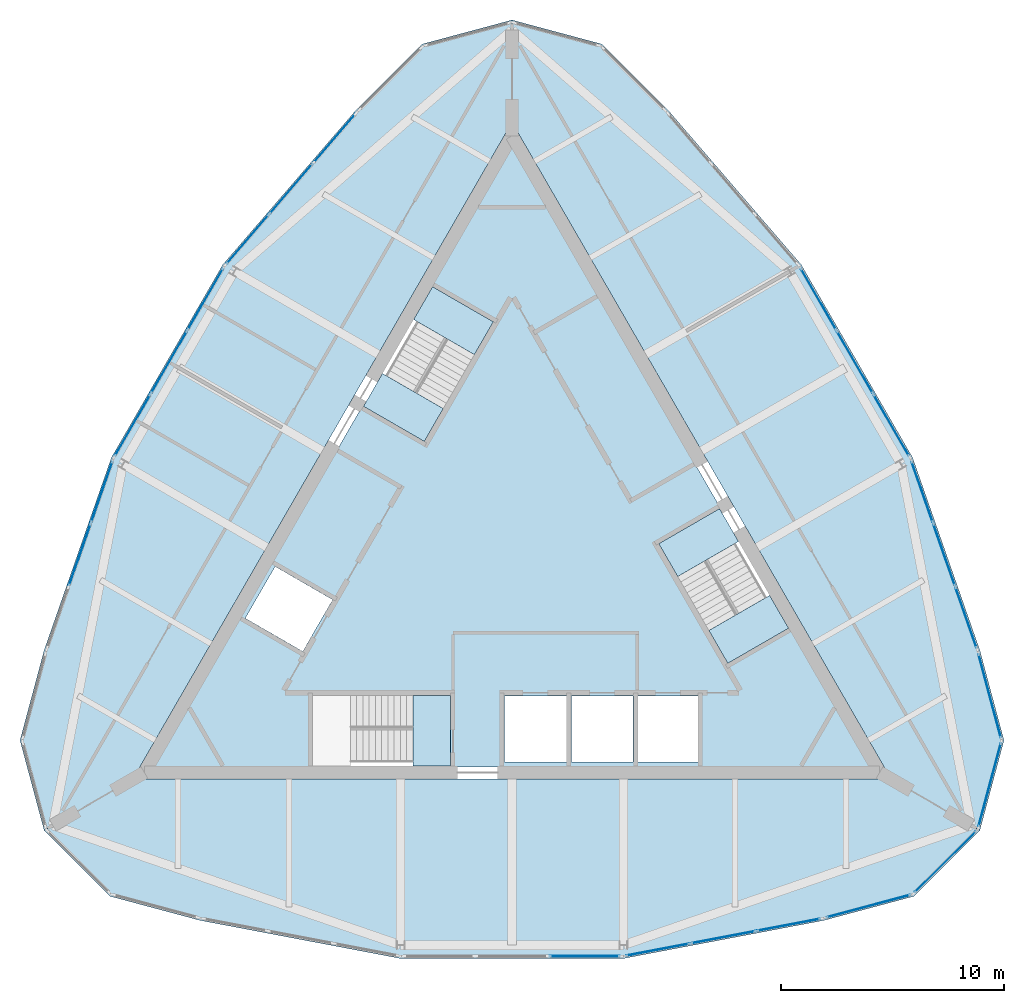
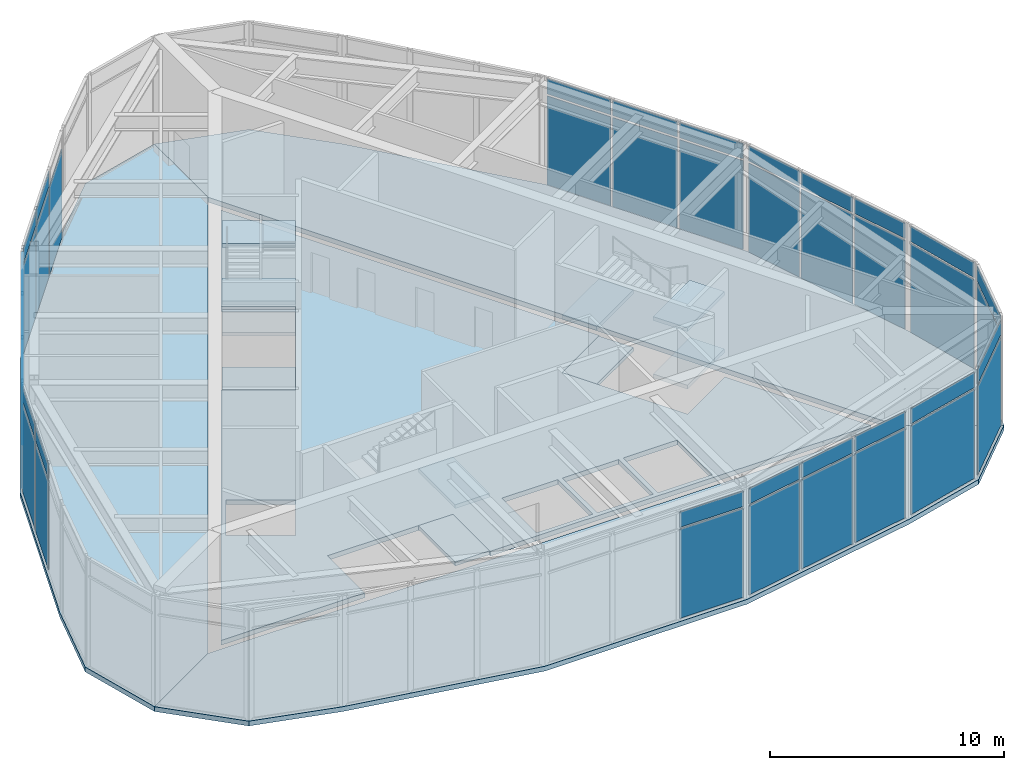
# One storey, part 5 of 9: 43 plates, 14 slabs, 14 elements without a shape of their own.
"""IFC4 building model written with IfcOpenShell, lengths in metres."""

from ifc_helpers import new_model, si_unit, direction, frame, origin, origin_2d, place, context, subcontext, project, spatial, polyline, rectangle, outline, extrude, material, layer, layer_set, type_object, element, aggregate, save


model = new_model("IFC4")

# Units and contexts
model_context = context("Model", 3, precision=1e-05, world=origin(), true_north=direction((0.0, 1.0)))
body_context = subcontext(model_context, "Body", "Model", "MODEL_VIEW")
ifc_project = project(units=[si_unit("LENGTHUNIT", "METRE"), si_unit("AREAUNIT", "SQUARE_METRE"), si_unit("VOLUMEUNIT", "CUBIC_METRE"), si_unit("PLANEANGLEUNIT", "RADIAN"), si_unit("MASSUNIT", "GRAM", prefix="KILO")], contexts=[model_context])

# Site, building, storey
site_placement = place(None, origin())
site = spatial("IfcSite", under=ifc_project, at=site_placement, CompositionType="ELEMENT")
building_placement = place(site_placement, origin())
building = spatial("IfcBuilding", under=site, at=building_placement, Name="Trikona Tower", CompositionType="ELEMENT")
storey_placement = place(building_placement, frame((0.0, 0.0, 286.800048828125)))
storey = spatial("IfcBuildingStorey", under=building, at=storey_placement, Name="L75", CompositionType="ELEMENT", Elevation=286.800048828125)

# Slabs
ifc_material_1 = material(Name="Concrete f'c 5000 psi lightweight on composite steel deck", Category="concrete")
ifc_layer_1 = layer(ifc_material_1, 0.25)
ifc_layer_set_1 = layer_set([ifc_layer_1], Name="Composite floor slab 250")
slab_type_1 = type_object("IfcSlabType", Name="Composite floor slab 250", PredefinedType="FLOOR", material=ifc_layer_set_1)
slab_1_placement = place(storey_placement, frame((0.0, 0.0, -0.25)))
element("IfcSlab", 1, at=slab_1_placement, inside=storey, type_object=slab_type_1, Name="Floor slab L75 core", PredefinedType="FLOOR", context=body_context, shape_type="SweptSolid", body=[
    extrude(outline(polyline([(-16.06689453125, -9.2763671875), (-8.949951171875, -9.2763671875), (-8.949951171875, -6.076416015625), (-2.75, -6.076416015625), (-2.75, -9.2763671875), (16.06689453125, -9.2763671875), (12.45849609375, -3.026123046875), (9.687255859375, -4.626220703125), (6.587158203125, 0.7431640625), (9.3583984375, 2.34326171875), (0.0, 18.552490234375), (-3.6083984375, 12.302490234375), (-0.837158203125, 10.702392578125), (-3.937255859375, 5.3330078125), (-6.70849609375, 6.93310546875), (-16.06689453125, -9.2763671875)]), holes=[polyline([(5.659912109375, -9.06640625), (8.340087890625, -9.06640625), (8.340087890625, -6.086181640625), (5.659912109375, -6.086181640625), (5.659912109375, -9.06640625)]), polyline([(5.43994140625, -9.06640625), (5.43994140625, -6.086181640625), (2.659912109375, -6.086181640625), (2.659912109375, -9.06640625), (5.43994140625, -9.06640625)]), polyline([(2.43994140625, -6.086181640625), (-0.340087890625, -6.086181640625), (-0.340087890625, -9.06640625), (2.43994140625, -9.06640625), (2.43994140625, -6.086181640625)]), polyline([(-11.9716796875, -2.602783203125), (-9.390869140625, -4.093017578125), (-8.05078125, -1.77197265625), (-10.631591796875, -0.281982421875), (-11.9716796875, -2.602783203125)])]), origin(), (0.0, 0.0, 1.0), 0.25),
])
slab_2_placement = place(storey_placement, frame((0.0, 0.0, -0.25)))
element("IfcSlab", 2, at=slab_2_placement, inside=storey, type_object=slab_type_1, Name="Floor slab L75 south", PredefinedType="FLOOR", context=body_context, shape_type="SweptSolid", body=[
    extrude(outline(polyline([(21.0, -12.12451171875), (17.01953125, -9.826416015625), (-17.01953125, -9.826416015625), (-21.0, -12.12451171875), (-18.04150390625, -15.0830078125), (-14.0, -16.165771484375), (-5.0, -17.875732421875), (5.0, -17.875732421875), (14.0, -16.165771484375), (18.04150390625, -15.0830078125), (21.0, -12.12451171875)])), origin(), (0.0, 0.0, 1.0), 0.25),
])
slab_3_placement = place(storey_placement, frame((0.0, 0.0, -0.25)))
element("IfcSlab", 3, at=slab_3_placement, inside=storey, type_object=slab_type_1, Name="Floor slab L75 north-east", PredefinedType="FLOOR", context=body_context, shape_type="SweptSolid", body=[
    extrude(outline(polyline([(4.04150390625, 23.165771484375), (0.0, 24.248779296875), (0.0, 19.652587890625), (17.01953125, -9.826416015625), (21.0, -12.12451171875), (22.0830078125, -8.0830078125), (21.0, -4.04150390625), (17.98095703125, 4.60791015625), (12.98095703125, 13.26806640625), (7.0, 20.207275390625), (4.04150390625, 23.165771484375)])), origin(), (0.0, 0.0, 1.0), 0.25),
])
slab_4_placement = place(storey_placement, frame((0.0, 0.0, -0.25)))
element("IfcSlab", 4, at=slab_4_placement, inside=storey, type_object=slab_type_1, Name="Floor slab L75 north-west", PredefinedType="FLOOR", context=body_context, shape_type="SweptSolid", body=[
    extrude(outline(polyline([(0.0, 19.652587890625), (0.0, 24.248779296875), (-4.04150390625, 23.165771484375), (-7.0, 20.207275390625), (-12.98095703125, 13.26806640625), (-17.98095703125, 4.60791015625), (-21.0, -4.04150390625), (-22.0830078125, -8.0830078125), (-21.0, -12.12451171875), (-17.01953125, -9.826416015625), (0.0, 19.652587890625)])), origin(), (0.0, 0.0, 1.0), 0.25),
])

# Curtain wall, plates
ifc_material_2 = material(Name="Aluminium curtain wall system", Category="aluminium")
curtain_wall_type = type_object("IfcCurtainWallType", Name="Curtain wall OB", PredefinedType="NOTDEFINED", material=ifc_material_2)
curtain_wall_1_placement = place(storey_placement, origin())
curtain_wall_1 = element("IfcCurtainWall", 5, at=curtain_wall_1_placement, inside=storey, type_object=curtain_wall_type, Name="Curtain wall OB L75", PredefinedType="NOTDEFINED")
ifc_material_3 = material(Name="Clear insulating glass unit", Category="glass")
ifc_layer_2 = layer(ifc_material_3, 0.028076171875)
ifc_layer_set_2 = layer_set([ifc_layer_2], Name="Glass panel OB")
plate_type = type_object("IfcPlateType", Name="Glass panel OB", PredefinedType="CURTAIN_PANEL", material=ifc_layer_set_2)
plate_1_placement = place(storey_placement, frame((3.268310546875, -17.77587890625, 0.10009765625), z_axis=(0.0, 0.0, 1.0), x_axis=(1.0, 0.0, 0.0)))
plate_1 = element("IfcPlate", 6, at=plate_1_placement, type_object=plate_type, Name="CW-OB panel 3.1", PredefinedType="CURTAIN_PANEL", context=body_context, shape_type="SweptSolid", body=[
    extrude(rectangle(XDim=3.143310546875, YDim=0.028076171875, at=origin_2d()), origin(), (0.0, 0.0, 1.0), 4.64990234375),
])
plate_2_placement = place(storey_placement, frame((3.268310546875, -17.77587890625, 4.85009765625), z_axis=(0.0, 0.0, 1.0), x_axis=(1.0, 0.0, 0.0)))
plate_2 = element("IfcPlate", 7, at=plate_2_placement, type_object=plate_type, Name="CW-OB panel 3.2", PredefinedType="CURTAIN_PANEL", context=body_context, shape_type="SweptSolid", body=[
    extrude(rectangle(XDim=3.143310546875, YDim=0.028076171875, at=origin_2d()), origin(), (0.0, 0.0, 1.0), 0.800048828125),
])
aggregate(curtain_wall_1, [plate_1, plate_2])

curtain_wall_2_placement = place(storey_placement, origin())
curtain_wall_2 = element("IfcCurtainWall", 8, at=curtain_wall_2_placement, inside=storey, type_object=curtain_wall_type, Name="Curtain wall OB L75", PredefinedType="NOTDEFINED")
plate_3_placement = place(storey_placement, frame((6.545166015625, -17.48046875, 0.10009765625), z_axis=(0.0, 0.0, 1.0), x_axis=(0.982424431419, 0.186660752571, 0.0)))
plate_3 = element("IfcPlate", 9, at=plate_3_placement, type_object=plate_type, Name="CW-OB panel 1.1", PredefinedType="CURTAIN_PANEL", context=body_context, shape_type="SweptSolid", body=[
    extrude(rectangle(XDim=2.86376953125, YDim=0.028076171875, at=origin_2d()), origin(), (0.0, 0.0, 1.0), 4.64990234375),
])
plate_4_placement = place(storey_placement, frame((6.545166015625, -17.48046875, 4.85009765625), z_axis=(0.0, 0.0, 1.0), x_axis=(0.982424431419, 0.186660752571, 0.0)))
plate_4 = element("IfcPlate", 10, at=plate_4_placement, type_object=plate_type, Name="CW-OB panel 1.2", PredefinedType="CURTAIN_PANEL", context=body_context, shape_type="SweptSolid", body=[
    extrude(rectangle(XDim=2.86376953125, YDim=0.028076171875, at=origin_2d()), origin(), (0.0, 0.0, 1.0), 0.800048828125),
])
plate_5_placement = place(storey_placement, frame((9.4814453125, -16.922607421875, 0.10009765625), z_axis=(0.0, 0.0, 1.0), x_axis=(0.982424431419, 0.186660752571, 0.0)))
plate_5 = element("IfcPlate", 11, at=plate_5_placement, type_object=plate_type, Name="CW-OB panel 2.1", PredefinedType="CURTAIN_PANEL", context=body_context, shape_type="SweptSolid", body=[
    extrude(rectangle(XDim=2.91357421875, YDim=0.028076171875, at=origin_2d()), origin(), (0.0, 0.0, 1.0), 4.64990234375),
])
plate_6_placement = place(storey_placement, frame((9.4814453125, -16.922607421875, 4.85009765625), z_axis=(0.0, 0.0, 1.0), x_axis=(0.982424431419, 0.186660752571, 0.0)))
plate_6 = element("IfcPlate", 12, at=plate_6_placement, type_object=plate_type, Name="CW-OB panel 2.2", PredefinedType="CURTAIN_PANEL", context=body_context, shape_type="SweptSolid", body=[
    extrude(rectangle(XDim=2.91357421875, YDim=0.028076171875, at=origin_2d()), origin(), (0.0, 0.0, 1.0), 0.800048828125),
])
plate_7_placement = place(storey_placement, frame((12.41748046875, -16.36474609375, 0.10009765625), z_axis=(0.0, 0.0, 1.0), x_axis=(0.982424431419, 0.186660752571, 0.0)))
plate_7 = element("IfcPlate", 13, at=plate_7_placement, type_object=plate_type, Name="CW-OB panel 3.1", PredefinedType="CURTAIN_PANEL", context=body_context, shape_type="SweptSolid", body=[
    extrude(rectangle(XDim=2.86376953125, YDim=0.028076171875, at=origin_2d()), origin(), (0.0, 0.0, 1.0), 4.64990234375),
])
plate_8_placement = place(storey_placement, frame((12.41748046875, -16.36474609375, 4.85009765625), z_axis=(0.0, 0.0, 1.0), x_axis=(0.982424431419, 0.186660752571, 0.0)))
plate_8 = element("IfcPlate", 14, at=plate_8_placement, type_object=plate_type, Name="CW-OB panel 3.2", PredefinedType="CURTAIN_PANEL", context=body_context, shape_type="SweptSolid", body=[
    extrude(rectangle(XDim=2.86376953125, YDim=0.028076171875, at=origin_2d()), origin(), (0.0, 0.0, 1.0), 0.800048828125),
])
aggregate(curtain_wall_2, [plate_3, plate_4, plate_5, plate_6, plate_7, plate_8])

curtain_wall_3_placement = place(storey_placement, origin())
curtain_wall_3 = element("IfcCurtainWall", 15, at=curtain_wall_3_placement, inside=storey, type_object=curtain_wall_type, Name="Curtain wall OB L75", PredefinedType="NOTDEFINED")
plate_9_placement = place(storey_placement, frame((15.994873046875, -15.52783203125, 0.10009765625), z_axis=(0.0, 0.0, 1.0), x_axis=(0.965923448705, 0.258827918204, 0.0)))
plate_9 = element("IfcPlate", 16, at=plate_9_placement, type_object=plate_type, Name="CW-OB panel 1.1", PredefinedType="CURTAIN_PANEL", context=body_context, shape_type="SweptSolid", body=[
    extrude(rectangle(XDim=3.864013671875, YDim=0.028076171875, at=origin_2d()), origin(), (0.0, 0.0, 1.0), 4.64990234375),
])
plate_10_placement = place(storey_placement, frame((15.994873046875, -15.52783203125, 4.85009765625), z_axis=(0.0, 0.0, 1.0), x_axis=(0.965923448705, 0.258827918204, 0.0)))
plate_10 = element("IfcPlate", 17, at=plate_10_placement, type_object=plate_type, Name="CW-OB panel 1.2", PredefinedType="CURTAIN_PANEL", context=body_context, shape_type="SweptSolid", body=[
    extrude(rectangle(XDim=3.864013671875, YDim=0.028076171875, at=origin_2d()), origin(), (0.0, 0.0, 1.0), 0.800048828125),
])
aggregate(curtain_wall_3, [plate_9, plate_10])

curtain_wall_4_placement = place(storey_placement, origin())
curtain_wall_4 = element("IfcCurtainWall", 18, at=curtain_wall_4_placement, inside=storey, type_object=curtain_wall_type, Name="Curtain wall OB L75", PredefinedType="NOTDEFINED")
plate_11_placement = place(storey_placement, frame((19.449951171875, -13.532958984375, 0.10009765625), z_axis=(0.0, 0.0, 1.0), x_axis=(0.707106781187, 0.707106781187, 0.0)))
plate_11 = element("IfcPlate", 19, at=plate_11_placement, type_object=plate_type, Name="CW-OB panel 1.1", PredefinedType="CURTAIN_PANEL", context=body_context, shape_type="SweptSolid", body=[
    extrude(rectangle(XDim=3.864013671875, YDim=0.028076171875, at=origin_2d()), origin(), (0.0, 0.0, 1.0), 4.64990234375),
])
plate_12_placement = place(storey_placement, frame((19.449951171875, -13.532958984375, 4.85009765625), z_axis=(0.0, 0.0, 1.0), x_axis=(0.707106781187, 0.707106781187, 0.0)))
plate_12 = element("IfcPlate", 20, at=plate_12_placement, type_object=plate_type, Name="CW-OB panel 1.2", PredefinedType="CURTAIN_PANEL", context=body_context, shape_type="SweptSolid", body=[
    extrude(rectangle(XDim=3.864013671875, YDim=0.028076171875, at=origin_2d()), origin(), (0.0, 0.0, 1.0), 0.800048828125),
])
aggregate(curtain_wall_4, [plate_11, plate_12])

curtain_wall_5_placement = place(storey_placement, origin())
curtain_wall_5 = element("IfcCurtainWall", 21, at=curtain_wall_5_placement, inside=storey, type_object=curtain_wall_type, Name="Curtain wall OB L75", PredefinedType="NOTDEFINED")
plate_13_placement = place(storey_placement, frame((21.44482421875, -10.077880859375, 0.10009765625), z_axis=(0.0, 0.0, 1.0), x_axis=(0.258827918204, 0.965923448705, 0.0)))
plate_13 = element("IfcPlate", 22, at=plate_13_placement, type_object=plate_type, Name="CW-OB panel 1.1", PredefinedType="CURTAIN_PANEL", context=body_context, shape_type="SweptSolid", body=[
    extrude(rectangle(XDim=3.864013671875, YDim=0.028076171875, at=origin_2d()), origin(), (0.0, 0.0, 1.0), 4.64990234375),
])
plate_14_placement = place(storey_placement, frame((21.44482421875, -10.077880859375, 4.85009765625), z_axis=(0.0, 0.0, 1.0), x_axis=(0.258827918204, 0.965923448705, 0.0)))
plate_14 = element("IfcPlate", 23, at=plate_14_placement, type_object=plate_type, Name="CW-OB panel 1.2", PredefinedType="CURTAIN_PANEL", context=body_context, shape_type="SweptSolid", body=[
    extrude(rectangle(XDim=3.864013671875, YDim=0.028076171875, at=origin_2d()), origin(), (0.0, 0.0, 1.0), 0.800048828125),
])
aggregate(curtain_wall_5, [plate_13, plate_14])

curtain_wall_6_placement = place(storey_placement, origin())
curtain_wall_6 = element("IfcCurtainWall", 24, at=curtain_wall_6_placement, inside=storey, type_object=curtain_wall_type, Name="Curtain wall OB L75", PredefinedType="NOTDEFINED")
plate_15_placement = place(storey_placement, frame((21.44482421875, -6.088134765625, 0.10009765625), z_axis=(0.0, 0.0, 1.0), x_axis=(-0.258834069983, 0.965921800259, 0.0)))
plate_15 = element("IfcPlate", 25, at=plate_15_placement, type_object=plate_type, Name="CW-OB panel 1.1", PredefinedType="CURTAIN_PANEL", context=body_context, shape_type="SweptSolid", body=[
    extrude(rectangle(XDim=3.864013671875, YDim=0.028076171875, at=origin_2d()), origin(), (0.0, 0.0, 1.0), 4.64990234375),
])
plate_16_placement = place(storey_placement, frame((21.44482421875, -6.088134765625, 4.85009765625), z_axis=(0.0, 0.0, 1.0), x_axis=(-0.258834069983, 0.965921800259, 0.0)))
plate_16 = element("IfcPlate", 26, at=plate_16_placement, type_object=plate_type, Name="CW-OB panel 1.2", PredefinedType="CURTAIN_PANEL", context=body_context, shape_type="SweptSolid", body=[
    extrude(rectangle(XDim=3.864013671875, YDim=0.028076171875, at=origin_2d()), origin(), (0.0, 0.0, 1.0), 0.800048828125),
])
aggregate(curtain_wall_6, [plate_15, plate_16])

curtain_wall_7_placement = place(storey_placement, origin())
curtain_wall_7 = element("IfcCurtainWall", 27, at=curtain_wall_7_placement, inside=storey, type_object=curtain_wall_type, Name="Curtain wall OB L75", PredefinedType="NOTDEFINED")
plate_17_placement = place(storey_placement, frame((20.380859375, -2.571533203125, 0.10009765625), z_axis=(0.0, 0.0, 1.0), x_axis=(-0.329552165935, 0.944137368145, 0.0)))
plate_17 = element("IfcPlate", 28, at=plate_17_placement, type_object=plate_type, Name="CW-OB panel 1.1", PredefinedType="CURTAIN_PANEL", context=body_context, shape_type="SweptSolid", body=[
    extrude(rectangle(XDim=2.86376953125, YDim=0.028076171875, at=origin_2d()), origin(), (0.0, 0.0, 1.0), 4.64990234375),
])
plate_18_placement = place(storey_placement, frame((20.380859375, -2.571533203125, 4.85009765625), z_axis=(0.0, 0.0, 1.0), x_axis=(-0.329552165935, 0.944137368145, 0.0)))
plate_18 = element("IfcPlate", 29, at=plate_18_placement, type_object=plate_type, Name="CW-OB panel 1.2", PredefinedType="CURTAIN_PANEL", context=body_context, shape_type="SweptSolid", body=[
    extrude(rectangle(XDim=2.86376953125, YDim=0.028076171875, at=origin_2d()), origin(), (0.0, 0.0, 1.0), 0.800048828125),
])
plate_19_placement = place(storey_placement, frame((19.39599609375, 0.250244140625, 0.10009765625), z_axis=(0.0, 0.0, 1.0), x_axis=(-0.329552165935, 0.944137368145, 0.0)))
plate_19 = element("IfcPlate", 30, at=plate_19_placement, type_object=plate_type, Name="CW-OB panel 2.1", PredefinedType="CURTAIN_PANEL", context=body_context, shape_type="SweptSolid", body=[
    extrude(rectangle(XDim=2.91357421875, YDim=0.028076171875, at=origin_2d()), origin(), (0.0, 0.0, 1.0), 4.64990234375),
])
plate_20_placement = place(storey_placement, frame((19.39599609375, 0.250244140625, 4.85009765625), z_axis=(0.0, 0.0, 1.0), x_axis=(-0.329552165935, 0.944137368145, 0.0)))
plate_20 = element("IfcPlate", 31, at=plate_20_placement, type_object=plate_type, Name="CW-OB panel 2.2", PredefinedType="CURTAIN_PANEL", context=body_context, shape_type="SweptSolid", body=[
    extrude(rectangle(XDim=2.91357421875, YDim=0.028076171875, at=origin_2d()), origin(), (0.0, 0.0, 1.0), 0.800048828125),
])
plate_21_placement = place(storey_placement, frame((18.4111328125, 3.072021484375, 0.10009765625), z_axis=(0.0, 0.0, 1.0), x_axis=(-0.329552165935, 0.944137368145, 0.0)))
plate_21 = element("IfcPlate", 32, at=plate_21_placement, type_object=plate_type, Name="CW-OB panel 3.1", PredefinedType="CURTAIN_PANEL", context=body_context, shape_type="SweptSolid", body=[
    extrude(rectangle(XDim=2.86376953125, YDim=0.028076171875, at=origin_2d()), origin(), (0.0, 0.0, 1.0), 4.64990234375),
])
plate_22_placement = place(storey_placement, frame((18.4111328125, 3.072021484375, 4.85009765625), z_axis=(0.0, 0.0, 1.0), x_axis=(-0.329552165935, 0.944137368145, 0.0)))
plate_22 = element("IfcPlate", 33, at=plate_22_placement, type_object=plate_type, Name="CW-OB panel 3.2", PredefinedType="CURTAIN_PANEL", context=body_context, shape_type="SweptSolid", body=[
    extrude(rectangle(XDim=2.86376953125, YDim=0.028076171875, at=origin_2d()), origin(), (0.0, 0.0, 1.0), 0.800048828125),
])
aggregate(curtain_wall_7, [plate_17, plate_18, plate_19, plate_20, plate_21, plate_22])

curtain_wall_8_placement = place(storey_placement, origin())
curtain_wall_8 = element("IfcCurtainWall", 34, at=curtain_wall_8_placement, inside=storey, type_object=curtain_wall_type, Name="Curtain wall OB L75", PredefinedType="NOTDEFINED")
plate_23_placement = place(storey_placement, frame((17.028564453125, 6.057373046875, 0.10009765625), z_axis=(0.0, 0.0, 1.0), x_axis=(-0.500005740951, 0.866022089219, 0.0)))
plate_23 = element("IfcPlate", 35, at=plate_23_placement, type_object=plate_type, Name="CW-OB panel 1.1", PredefinedType="CURTAIN_PANEL", context=body_context, shape_type="SweptSolid", body=[
    extrude(rectangle(XDim=3.143310546875, YDim=0.028076171875, at=origin_2d()), origin(), (0.0, 0.0, 1.0), 4.64990234375),
])
plate_24_placement = place(storey_placement, frame((17.028564453125, 6.057373046875, 4.85009765625), z_axis=(0.0, 0.0, 1.0), x_axis=(-0.500005740951, 0.866022089219, 0.0)))
plate_24 = element("IfcPlate", 36, at=plate_24_placement, type_object=plate_type, Name="CW-OB panel 1.2", PredefinedType="CURTAIN_PANEL", context=body_context, shape_type="SweptSolid", body=[
    extrude(rectangle(XDim=3.143310546875, YDim=0.028076171875, at=origin_2d()), origin(), (0.0, 0.0, 1.0), 0.800048828125),
])
plate_25_placement = place(storey_placement, frame((15.394287109375, 8.887939453125, 0.10009765625), z_axis=(0.0, 0.0, 1.0), x_axis=(-0.500005740951, 0.866022089219, 0.0)))
plate_25 = element("IfcPlate", 37, at=plate_25_placement, type_object=plate_type, Name="CW-OB panel 2.1", PredefinedType="CURTAIN_PANEL", context=body_context, shape_type="SweptSolid", body=[
    extrude(rectangle(XDim=3.193359375, YDim=0.028076171875, at=origin_2d()), origin(), (0.0, 0.0, 1.0), 4.64990234375),
])
plate_26_placement = place(storey_placement, frame((15.394287109375, 8.887939453125, 4.85009765625), z_axis=(0.0, 0.0, 1.0), x_axis=(-0.500005740951, 0.866022089219, 0.0)))
plate_26 = element("IfcPlate", 38, at=plate_26_placement, type_object=plate_type, Name="CW-OB panel 2.2", PredefinedType="CURTAIN_PANEL", context=body_context, shape_type="SweptSolid", body=[
    extrude(rectangle(XDim=3.193359375, YDim=0.028076171875, at=origin_2d()), origin(), (0.0, 0.0, 1.0), 0.800048828125),
])
plate_27_placement = place(storey_placement, frame((13.76025390625, 11.71826171875, 0.10009765625), z_axis=(0.0, 0.0, 1.0), x_axis=(-0.500005740951, 0.866022089219, 0.0)))
plate_27 = element("IfcPlate", 39, at=plate_27_placement, type_object=plate_type, Name="CW-OB panel 3.1", PredefinedType="CURTAIN_PANEL", context=body_context, shape_type="SweptSolid", body=[
    extrude(rectangle(XDim=3.143310546875, YDim=0.028076171875, at=origin_2d()), origin(), (0.0, 0.0, 1.0), 4.64990234375),
])
plate_28_placement = place(storey_placement, frame((13.76025390625, 11.71826171875, 4.85009765625), z_axis=(0.0, 0.0, 1.0), x_axis=(-0.500005740951, 0.866022089219, 0.0)))
plate_28 = element("IfcPlate", 40, at=plate_28_placement, type_object=plate_type, Name="CW-OB panel 3.2", PredefinedType="CURTAIN_PANEL", context=body_context, shape_type="SweptSolid", body=[
    extrude(rectangle(XDim=3.143310546875, YDim=0.028076171875, at=origin_2d()), origin(), (0.0, 0.0, 1.0), 0.800048828125),
])
aggregate(curtain_wall_8, [plate_23, plate_24, plate_25, plate_26, plate_27, plate_28])

curtain_wall_9_placement = place(storey_placement, origin())
curtain_wall_9 = element("IfcCurtainWall", 41, at=curtain_wall_9_placement, inside=storey, type_object=curtain_wall_type, Name="Curtain wall OB L75", PredefinedType="NOTDEFINED")
plate_29_placement = place(storey_placement, frame((-7.96337890625, 18.936279296875, 0.10009765625), z_axis=(0.0, 0.0, 1.0), x_axis=(-0.652863914707, -0.757475219973, 0.0)))
plate_29 = element("IfcPlate", 42, at=plate_29_placement, type_object=plate_type, Name="CW-OB panel 1.1", PredefinedType="CURTAIN_PANEL", context=body_context, shape_type="SweptSolid", body=[
    extrude(rectangle(XDim=2.86376953125, YDim=0.028076171875, at=origin_2d()), origin(), (0.0, 0.0, 1.0), 4.64990234375),
])
plate_30_placement = place(storey_placement, frame((-9.914794921875, 16.67236328125, 0.10009765625), z_axis=(0.0, 0.0, 1.0), x_axis=(-0.652863914707, -0.757475219973, 0.0)))
plate_30 = element("IfcPlate", 43, at=plate_30_placement, type_object=plate_type, Name="CW-OB panel 2.1", PredefinedType="CURTAIN_PANEL", context=body_context, shape_type="SweptSolid", body=[
    extrude(rectangle(XDim=2.91357421875, YDim=0.028076171875, at=origin_2d()), origin(), (0.0, 0.0, 1.0), 4.64990234375),
])
plate_31_placement = place(storey_placement, frame((-9.914794921875, 16.67236328125, 4.85009765625), z_axis=(0.0, 0.0, 1.0), x_axis=(-0.652863914707, -0.757475219973, 0.0)))
plate_31 = element("IfcPlate", 44, at=plate_31_placement, type_object=plate_type, Name="CW-OB panel 2.2", PredefinedType="CURTAIN_PANEL", context=body_context, shape_type="SweptSolid", body=[
    extrude(rectangle(XDim=2.91357421875, YDim=0.028076171875, at=origin_2d()), origin(), (0.0, 0.0, 1.0), 0.800048828125),
])
plate_32_placement = place(storey_placement, frame((-11.865966796875, 14.408447265625, 0.10009765625), z_axis=(0.0, 0.0, 1.0), x_axis=(-0.652863914707, -0.757475219973, 0.0)))
plate_32 = element("IfcPlate", 45, at=plate_32_placement, type_object=plate_type, Name="CW-OB panel 3.1", PredefinedType="CURTAIN_PANEL", context=body_context, shape_type="SweptSolid", body=[
    extrude(rectangle(XDim=2.86376953125, YDim=0.028076171875, at=origin_2d()), origin(), (0.0, 0.0, 1.0), 4.64990234375),
])
plate_33_placement = place(storey_placement, frame((-11.865966796875, 14.408447265625, 4.85009765625), z_axis=(0.0, 0.0, 1.0), x_axis=(-0.652863914707, -0.757475219973, 0.0)))
plate_33 = element("IfcPlate", 46, at=plate_33_placement, type_object=plate_type, Name="CW-OB panel 3.2", PredefinedType="CURTAIN_PANEL", context=body_context, shape_type="SweptSolid", body=[
    extrude(rectangle(XDim=2.86376953125, YDim=0.028076171875, at=origin_2d()), origin(), (0.0, 0.0, 1.0), 0.800048828125),
])
aggregate(curtain_wall_9, [plate_29, plate_30, plate_31, plate_32, plate_33])

curtain_wall_10_placement = place(storey_placement, origin())
curtain_wall_10 = element("IfcCurtainWall", 47, at=curtain_wall_10_placement, inside=storey, type_object=curtain_wall_type, Name="Curtain wall OB L75", PredefinedType="NOTDEFINED")
plate_34_placement = place(storey_placement, frame((-13.76025390625, 11.71826171875, 0.10009765625), z_axis=(0.0, 0.0, 1.0), x_axis=(-0.500005740951, -0.866022089219, 0.0)))
plate_34 = element("IfcPlate", 48, at=plate_34_placement, type_object=plate_type, Name="CW-OB panel 1.1", PredefinedType="CURTAIN_PANEL", context=body_context, shape_type="SweptSolid", body=[
    extrude(rectangle(XDim=3.143310546875, YDim=0.028076171875, at=origin_2d()), origin(), (0.0, 0.0, 1.0), 4.64990234375),
])
plate_35_placement = place(storey_placement, frame((-13.76025390625, 11.71826171875, 4.85009765625), z_axis=(0.0, 0.0, 1.0), x_axis=(-0.500005740951, -0.866022089219, 0.0)))
plate_35 = element("IfcPlate", 49, at=plate_35_placement, type_object=plate_type, Name="CW-OB panel 1.2", PredefinedType="CURTAIN_PANEL", context=body_context, shape_type="SweptSolid", body=[
    extrude(rectangle(XDim=3.143310546875, YDim=0.028076171875, at=origin_2d()), origin(), (0.0, 0.0, 1.0), 0.800048828125),
])
plate_36_placement = place(storey_placement, frame((-15.394287109375, 8.887939453125, 0.10009765625), z_axis=(0.0, 0.0, 1.0), x_axis=(-0.500005740951, -0.866022089219, 0.0)))
plate_36 = element("IfcPlate", 50, at=plate_36_placement, type_object=plate_type, Name="CW-OB panel 2.1", PredefinedType="CURTAIN_PANEL", context=body_context, shape_type="SweptSolid", body=[
    extrude(rectangle(XDim=3.193359375, YDim=0.028076171875, at=origin_2d()), origin(), (0.0, 0.0, 1.0), 4.64990234375),
])
plate_37_placement = place(storey_placement, frame((-15.394287109375, 8.887939453125, 4.85009765625), z_axis=(0.0, 0.0, 1.0), x_axis=(-0.500005740951, -0.866022089219, 0.0)))
plate_37 = element("IfcPlate", 51, at=plate_37_placement, type_object=plate_type, Name="CW-OB panel 2.2", PredefinedType="CURTAIN_PANEL", context=body_context, shape_type="SweptSolid", body=[
    extrude(rectangle(XDim=3.193359375, YDim=0.028076171875, at=origin_2d()), origin(), (0.0, 0.0, 1.0), 0.800048828125),
])
plate_38_placement = place(storey_placement, frame((-17.028564453125, 6.057373046875, 0.10009765625), z_axis=(0.0, 0.0, 1.0), x_axis=(-0.500005740951, -0.866022089219, 0.0)))
plate_38 = element("IfcPlate", 52, at=plate_38_placement, type_object=plate_type, Name="CW-OB panel 3.1", PredefinedType="CURTAIN_PANEL", context=body_context, shape_type="SweptSolid", body=[
    extrude(rectangle(XDim=3.143310546875, YDim=0.028076171875, at=origin_2d()), origin(), (0.0, 0.0, 1.0), 4.64990234375),
])
plate_39_placement = place(storey_placement, frame((-17.028564453125, 6.057373046875, 4.85009765625), z_axis=(0.0, 0.0, 1.0), x_axis=(-0.500005740951, -0.866022089219, 0.0)))
plate_39 = element("IfcPlate", 53, at=plate_39_placement, type_object=plate_type, Name="CW-OB panel 3.2", PredefinedType="CURTAIN_PANEL", context=body_context, shape_type="SweptSolid", body=[
    extrude(rectangle(XDim=3.143310546875, YDim=0.028076171875, at=origin_2d()), origin(), (0.0, 0.0, 1.0), 0.800048828125),
])
aggregate(curtain_wall_10, [plate_34, plate_35, plate_36, plate_37, plate_38, plate_39])

curtain_wall_11_placement = place(storey_placement, origin())
curtain_wall_11 = element("IfcCurtainWall", 54, at=curtain_wall_11_placement, inside=storey, type_object=curtain_wall_type, Name="Curtain wall OB L75", PredefinedType="NOTDEFINED")
plate_40_placement = place(storey_placement, frame((-18.4111328125, 3.072021484375, 0.10009765625), z_axis=(0.0, 0.0, 1.0), x_axis=(-0.329552165935, -0.944137368145, 0.0)))
plate_40 = element("IfcPlate", 55, at=plate_40_placement, type_object=plate_type, Name="CW-OB panel 1.1", PredefinedType="CURTAIN_PANEL", context=body_context, shape_type="SweptSolid", body=[
    extrude(rectangle(XDim=2.86376953125, YDim=0.028076171875, at=origin_2d()), origin(), (0.0, 0.0, 1.0), 4.64990234375),
])
plate_41_placement = place(storey_placement, frame((-18.4111328125, 3.072021484375, 4.85009765625), z_axis=(0.0, 0.0, 1.0), x_axis=(-0.329552165935, -0.944137368145, 0.0)))
plate_41 = element("IfcPlate", 56, at=plate_41_placement, type_object=plate_type, Name="CW-OB panel 1.2", PredefinedType="CURTAIN_PANEL", context=body_context, shape_type="SweptSolid", body=[
    extrude(rectangle(XDim=2.86376953125, YDim=0.028076171875, at=origin_2d()), origin(), (0.0, 0.0, 1.0), 0.800048828125),
])
plate_42_placement = place(storey_placement, frame((-19.39599609375, 0.250244140625, 0.10009765625), z_axis=(0.0, 0.0, 1.0), x_axis=(-0.329552165935, -0.944137368145, 0.0)))
plate_42 = element("IfcPlate", 57, at=plate_42_placement, type_object=plate_type, Name="CW-OB panel 2.1", PredefinedType="CURTAIN_PANEL", context=body_context, shape_type="SweptSolid", body=[
    extrude(rectangle(XDim=2.91357421875, YDim=0.028076171875, at=origin_2d()), origin(), (0.0, 0.0, 1.0), 4.64990234375),
])
plate_43_placement = place(storey_placement, frame((-19.39599609375, 0.250244140625, 4.85009765625), z_axis=(0.0, 0.0, 1.0), x_axis=(-0.329552165935, -0.944137368145, 0.0)))
plate_43 = element("IfcPlate", 58, at=plate_43_placement, type_object=plate_type, Name="CW-OB panel 2.2", PredefinedType="CURTAIN_PANEL", context=body_context, shape_type="SweptSolid", body=[
    extrude(rectangle(XDim=2.91357421875, YDim=0.028076171875, at=origin_2d()), origin(), (0.0, 0.0, 1.0), 0.800048828125),
])
aggregate(curtain_wall_11, [plate_40, plate_41, plate_42, plate_43])

# Stair, slabs
ifc_material_4 = material(Name="Concrete f'c 5000 psi", Category="concrete")
stair_type = type_object("IfcStairType", Name="Core stair", PredefinedType="HALF_TURN_STAIR", material=ifc_material_4)
stair_1_placement = place(storey_placement, origin())
stair_1 = element("IfcStair", 59, at=stair_1_placement, inside=storey, type_object=stair_type, Name="Stair A L75", PredefinedType="HALF_TURN_STAIR")
ifc_material_5 = material(Name="Concrete f'c 5000 psi", Category="concrete")
ifc_layer_3 = layer(ifc_material_5, 0.199951171875)
ifc_layer_set_3 = layer_set([ifc_layer_3], Name="Stair landing 200")
slab_type_2 = type_object("IfcSlabType", Name="Stair landing 200", PredefinedType="LANDING", material=ifc_layer_set_3)
slab_5_placement = place(storey_placement, frame((0.0, 0.0, -0.199951171875)))
slab_5 = element("IfcSlab", 60, at=slab_5_placement, type_object=slab_type_2, Name="ST-A landing 1", PredefinedType="LANDING", context=body_context, shape_type="SweptSolid", body=[
    extrude(outline(polyline([(-4.452880859375, -6.076416015625), (-2.75, -6.076416015625), (-2.75, -9.226318359375), (-4.452880859375, -9.226318359375), (-4.452880859375, -6.076416015625)])), origin(), (0.0, 0.0, 1.0), 0.199951171875),
])
slab_6_placement = place(storey_placement, frame((0.0, 0.0, 2.800048828125)))
slab_6 = element("IfcSlab", 61, at=slab_6_placement, type_object=slab_type_2, Name="ST-A landing 3", PredefinedType="LANDING", context=body_context, shape_type="SweptSolid", body=[
    extrude(outline(polyline([(-4.452880859375, -6.076416015625), (-2.75, -6.076416015625), (-2.75, -9.226318359375), (-4.452880859375, -9.226318359375), (-4.452880859375, -6.076416015625)])), origin(), (0.0, 0.0, 1.0), 0.199951171875),
])
aggregate(stair_1, [slab_5, slab_6])

stair_2_placement = place(storey_placement, origin())
stair_2 = element("IfcStair", 62, at=stair_2_placement, inside=storey, type_object=stair_type, Name="Stair B L75", PredefinedType="HALF_TURN_STAIR")
slab_7_placement = place(storey_placement, frame((0.0, 0.0, -0.199951171875)))
slab_7 = element("IfcSlab", 63, at=slab_7_placement, type_object=slab_type_2, Name="ST-B landing 1", PredefinedType="LANDING", context=body_context, shape_type="SweptSolid", body=[
    extrude(outline(polyline([(7.438720703125, -0.731689453125), (6.587158203125, 0.7431640625), (9.315185546875, 2.318115234375), (10.166748046875, 0.84326171875), (7.438720703125, -0.731689453125)])), origin(), (0.0, 0.0, 1.0), 0.199951171875),
])
slab_8_placement = place(storey_placement, frame((0.0, 0.0, 1.300048828125)))
slab_8 = element("IfcSlab", 64, at=slab_8_placement, type_object=slab_type_2, Name="ST-B landing 2", PredefinedType="LANDING", context=body_context, shape_type="SweptSolid", body=[
    extrude(outline(polyline([(9.687255859375, -4.626220703125), (8.835693359375, -3.1513671875), (11.563720703125, -1.576416015625), (12.415283203125, -3.05126953125), (9.687255859375, -4.626220703125)])), origin(), (0.0, 0.0, 1.0), 0.199951171875),
])
slab_9_placement = place(storey_placement, frame((0.0, 0.0, 2.800048828125)))
slab_9 = element("IfcSlab", 65, at=slab_9_placement, type_object=slab_type_2, Name="ST-B landing 3", PredefinedType="LANDING", context=body_context, shape_type="SweptSolid", body=[
    extrude(outline(polyline([(7.438720703125, -0.731689453125), (6.587158203125, 0.7431640625), (9.315185546875, 2.318115234375), (10.166748046875, 0.84326171875), (7.438720703125, -0.731689453125)])), origin(), (0.0, 0.0, 1.0), 0.199951171875),
])
slab_10_placement = place(storey_placement, frame((0.0, 0.0, 4.300048828125)))
slab_10 = element("IfcSlab", 66, at=slab_10_placement, type_object=slab_type_2, Name="ST-B landing 4", PredefinedType="LANDING", context=body_context, shape_type="SweptSolid", body=[
    extrude(outline(polyline([(9.687255859375, -4.626220703125), (8.835693359375, -3.1513671875), (11.563720703125, -1.576416015625), (12.415283203125, -3.05126953125), (9.687255859375, -4.626220703125)])), origin(), (0.0, 0.0, 1.0), 0.199951171875),
])
aggregate(stair_2, [slab_7, slab_8, slab_9, slab_10])

stair_3_placement = place(storey_placement, origin())
stair_3 = element("IfcStair", 67, at=stair_3_placement, inside=storey, type_object=stair_type, Name="Stair C L75", PredefinedType="HALF_TURN_STAIR")
slab_11_placement = place(storey_placement, frame((0.0, 0.0, -0.199951171875)))
slab_11 = element("IfcSlab", 68, at=slab_11_placement, type_object=slab_type_2, Name="ST-C landing 1", PredefinedType="LANDING", context=body_context, shape_type="SweptSolid", body=[
    extrude(outline(polyline([(-3.085693359375, 6.807861328125), (-3.937255859375, 5.3330078125), (-6.665283203125, 6.908203125), (-5.813720703125, 8.3828125), (-3.085693359375, 6.807861328125)])), origin(), (0.0, 0.0, 1.0), 0.199951171875),
])
slab_12_placement = place(storey_placement, frame((0.0, 0.0, 1.300048828125)))
slab_12 = element("IfcSlab", 69, at=slab_12_placement, type_object=slab_type_2, Name="ST-C landing 2", PredefinedType="LANDING", context=body_context, shape_type="SweptSolid", body=[
    extrude(outline(polyline([(-0.837158203125, 10.702392578125), (-1.688720703125, 9.2275390625), (-4.416748046875, 10.802490234375), (-3.565185546875, 12.277587890625), (-0.837158203125, 10.702392578125)])), origin(), (0.0, 0.0, 1.0), 0.199951171875),
])
slab_13_placement = place(storey_placement, frame((0.0, 0.0, 2.800048828125)))
slab_13 = element("IfcSlab", 70, at=slab_13_placement, type_object=slab_type_2, Name="ST-C landing 3", PredefinedType="LANDING", context=body_context, shape_type="SweptSolid", body=[
    extrude(outline(polyline([(-3.085693359375, 6.807861328125), (-3.937255859375, 5.3330078125), (-6.665283203125, 6.908203125), (-5.813720703125, 8.3828125), (-3.085693359375, 6.807861328125)])), origin(), (0.0, 0.0, 1.0), 0.199951171875),
])
slab_14_placement = place(storey_placement, frame((0.0, 0.0, 4.300048828125)))
slab_14 = element("IfcSlab", 71, at=slab_14_placement, type_object=slab_type_2, Name="ST-C landing 4", PredefinedType="LANDING", context=body_context, shape_type="SweptSolid", body=[
    extrude(outline(polyline([(-0.837158203125, 10.702392578125), (-1.688720703125, 9.2275390625), (-4.416748046875, 10.802490234375), (-3.565185546875, 12.277587890625), (-0.837158203125, 10.702392578125)])), origin(), (0.0, 0.0, 1.0), 0.199951171875),
])
aggregate(stair_3, [slab_11, slab_12, slab_13, slab_14])

save(model, "model.ifc")
